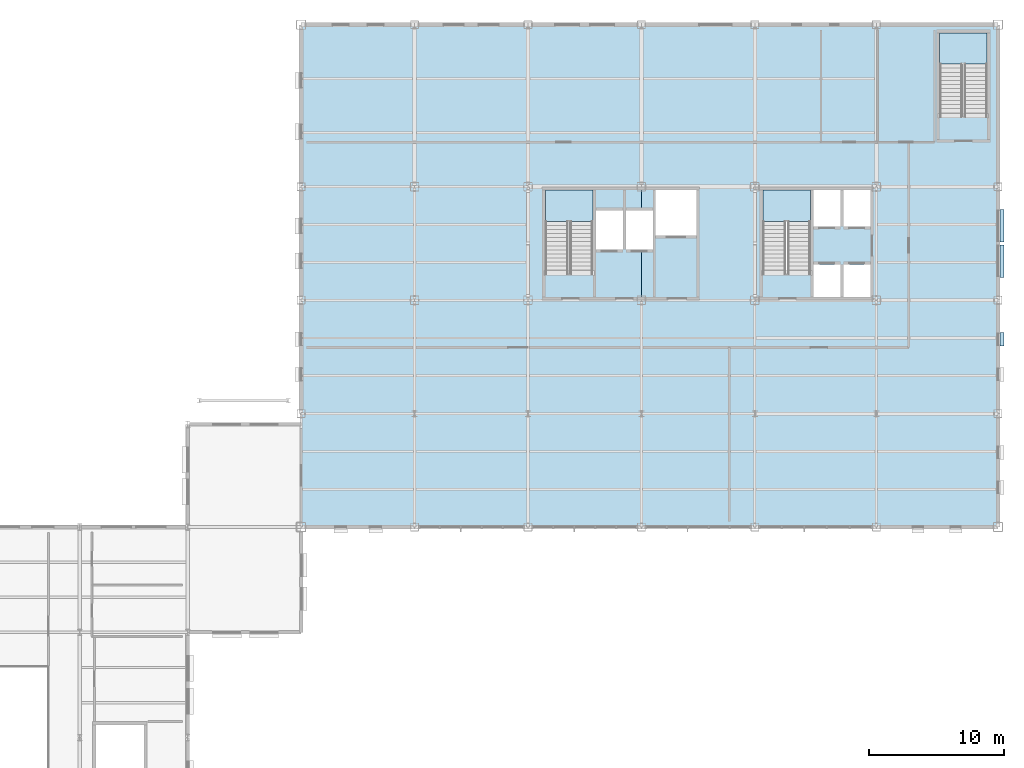
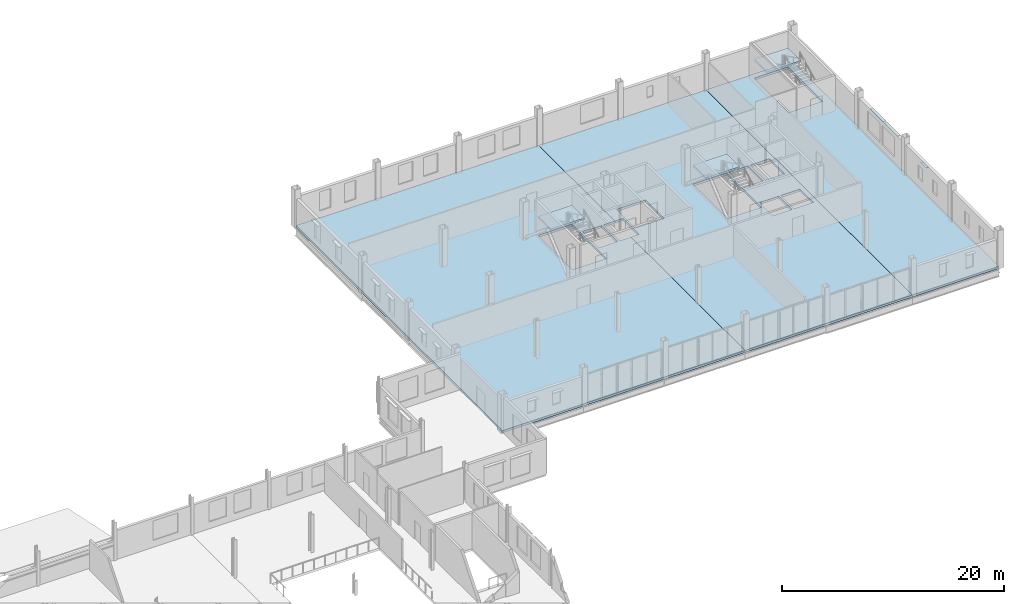
# One storey, part 25 of 45: 6 slabs, 3 plates, 3 elements without a shape of their own.
"""IFC4 building model written with IfcOpenShell, lengths in metres."""

from ifc_helpers import new_model, si_unit, direction, frame, origin, origin_2d, place, context, subcontext, project, spatial, polyline, rectangle, outline, extrude, material, layer, layer_set, type_object, element, aggregate, save


model = new_model("IFC4")

# Units and contexts
model_context = context("Model", 3, precision=1e-05, world=origin(), true_north=direction((0.0, 1.0)))
body_context = subcontext(model_context, "Body", "Model", "MODEL_VIEW")
ifc_project = project(units=[si_unit("LENGTHUNIT", "METRE"), si_unit("AREAUNIT", "SQUARE_METRE"), si_unit("VOLUMEUNIT", "CUBIC_METRE"), si_unit("PLANEANGLEUNIT", "RADIAN"), si_unit("MASSUNIT", "GRAM", prefix="KILO")], contexts=[model_context])

# Site, building, storey
site_placement = place(None, origin())
site = spatial("IfcSite", under=ifc_project, at=site_placement, CompositionType="ELEMENT")
building_placement = place(site_placement, origin())
building = spatial("IfcBuilding", under=site, at=building_placement, Name="Yukiwa Park Conservatory and Herbarium", CompositionType="ELEMENT")
storey_placement = place(building_placement, frame((0.0, 0.0, 9.0)))
storey = spatial("IfcBuildingStorey", under=building, at=storey_placement, Name="L02", CompositionType="ELEMENT", Elevation=9.0)

# Plates
ifc_material_1 = material(Name="Anodised Aluminium", Category="aluminium")
ifc_layer_1 = layer(ifc_material_1, 0.0400390625)
ifc_layer_set_1 = layer_set([ifc_layer_1], Name="Anodised Aluminium")
plate_type = type_object("IfcPlateType", Name="PL-SHADE-ALU-40", PredefinedType="SHEET", material=ifc_layer_set_1)
plate_placement = place(storey_placement, frame((168.300048828125, 91.89990234375, 2.590087890625), z_axis=(0.0, 0.0, 1.0), x_axis=(0.0, 1.0, 0.0)))
element("IfcPlate", 1, at=plate_placement, inside=storey, type_object=plate_type, Name="L02 snow-shedding window hood 96", PredefinedType="SHEET", context=body_context, shape_type="SweptSolid", body=[
    extrude(rectangle(XDim=1.010009765625, YDim=0.300048828125, at=origin_2d()), origin(), (0.0, 0.0, 1.0), 0.0400390625),
])
for number, where, z_axis, x_axis, name in (
    (2, (168.300048828125, 97.699951171875, 2.989990234375), (0.0, 0.0, 1.0), (0.0, 1.0, 0.0), "L02 snow-shedding window hood 97"),
    (3, (168.300048828125, 100.300048828125, 2.989990234375), (0.0, 0.0, 1.0), (0.0, 1.0, 0.0), "L02 snow-shedding window hood 98"),
):
    element("IfcPlate", number, at=place(storey_placement, frame(where, z_axis=z_axis, x_axis=x_axis)), inside=storey, type_object=plate_type, Name=name, PredefinedType="SHEET", context=body_context, shape_type="SweptSolid", body=[
        extrude(rectangle(XDim=2.409912109375, YDim=0.300048828125, at=origin_2d()), origin(), (0.0, 0.0, 1.0), 0.0400390625),
    ])

# Slabs
ifc_material_2 = material(Name="Concrete C40", Category="concrete")
ifc_layer_2 = layer(ifc_material_2, 0.2451171875)
ifc_layer_set_2 = layer_set([ifc_layer_2], Name="Concrete C40")
slab_type_1 = type_object("IfcSlabType", Name="SL-FLR-245", PredefinedType="FLOOR", material=ifc_layer_set_2)
slab_1_placement = place(storey_placement, frame((0.0, 0.0, -0.2451171875)))
element("IfcSlab", 4, at=slab_1_placement, inside=storey, type_object=slab_type_1, Name="L02 composite structural floor slab V5W", PredefinedType="FLOOR", context=body_context, shape_type="SweptSolid", body=[
    extrude(outline(polyline([(141.60009765625, 78.0), (116.39990234375, 78.0), (116.39990234375, 115.199951171875), (141.60009765625, 115.199951171875), (141.60009765625, 101.43994140625), (140.43994140625, 101.43994140625), (140.43994140625, 98.5400390625), (141.60009765625, 98.5400390625), (141.60009765625, 78.0)]), holes=[polyline([(134.489990234375, 102.949951171875), (134.489990234375, 96.72998046875), (138.0, 96.72998046875), (138.0, 102.949951171875), (134.489990234375, 102.949951171875)]), polyline([(140.219970703125, 101.43994140625), (138.219970703125, 101.43994140625), (138.219970703125, 98.5400390625), (140.219970703125, 98.5400390625), (140.219970703125, 101.43994140625)])]), origin(), (0.0, 0.0, 1.0), 0.2451171875),
])
slab_2_placement = place(storey_placement, frame((0.0, 0.0, -0.2451171875)))
element("IfcSlab", 5, at=slab_2_placement, inside=storey, type_object=slab_type_1, Name="L02 composite structural floor slab V5C", PredefinedType="FLOOR", context=body_context, shape_type="SweptSolid", body=[
    extrude(outline(polyline([(141.60009765625, 115.199951171875), (159.0, 115.199951171875), (159.0, 78.0), (141.60009765625, 78.0), (141.60009765625, 98.5400390625), (142.43994140625, 98.5400390625), (142.43994140625, 101.43994140625), (141.60009765625, 101.43994140625), (141.60009765625, 115.199951171875)]), holes=[polyline([(142.659912109375, 102.949951171875), (142.659912109375, 99.60009765625), (145.659912109375, 99.60009765625), (145.659912109375, 102.949951171875), (142.659912109375, 102.949951171875)]), polyline([(156.330078125, 97.449951171875), (154.330078125, 97.449951171875), (154.330078125, 95.050048828125), (156.330078125, 95.050048828125), (156.330078125, 97.449951171875)]), polyline([(158.550048828125, 97.449951171875), (156.550048828125, 97.449951171875), (156.550048828125, 95.050048828125), (158.550048828125, 95.050048828125), (158.550048828125, 97.449951171875)]), polyline([(154.110107421875, 102.949951171875), (150.60009765625, 102.949951171875), (150.60009765625, 96.72998046875), (154.110107421875, 96.72998046875), (154.110107421875, 102.949951171875)]), polyline([(156.330078125, 102.949951171875), (154.330078125, 102.949951171875), (154.330078125, 100.25), (156.330078125, 100.25), (156.330078125, 102.949951171875)]), polyline([(158.550048828125, 102.949951171875), (156.550048828125, 102.949951171875), (156.550048828125, 100.25), (158.550048828125, 100.25), (158.550048828125, 102.949951171875)])]), origin(), (0.0, 0.0, 1.0), 0.2451171875),
])
slab_3_placement = place(storey_placement, frame((0.0, 0.0, -0.2451171875)))
element("IfcSlab", 6, at=slab_3_placement, inside=storey, type_object=slab_type_1, Name="L02 composite structural floor slab V5E", PredefinedType="FLOOR", context=body_context, shape_type="SweptSolid", body=[
    extrude(outline(polyline([(159.0, 78.0), (159.0, 115.199951171875), (168.0, 115.199951171875), (168.0, 78.0), (159.0, 78.0)]), holes=[polyline([(167.199951171875, 114.60009765625), (163.68994140625, 114.60009765625), (163.68994140625, 108.3798828125), (167.199951171875, 108.3798828125), (167.199951171875, 114.60009765625)])]), origin(), (0.0, 0.0, 1.0), 0.2451171875),
])

# Stair, slab
ifc_material_3 = material(Name="Concrete C40", Category="concrete")
stair_type_1 = type_object("IfcStairType", Name="ST-DOGLEG-ST-T1", PredefinedType="HALF_TURN_STAIR", material=ifc_material_3)
stair_1_placement = place(storey_placement, origin())
stair_1 = element("IfcStair", 7, at=stair_1_placement, inside=storey, type_object=stair_type_1, Name="L02 Protected Smoke-Proof Stair ST-T1", PredefinedType="HALF_TURN_STAIR")
ifc_material_4 = material(Name="Concrete C40", Category="concrete")
ifc_layer_3 = layer(ifc_material_4, 0.199951171875)
ifc_layer_set_3 = layer_set([ifc_layer_3], Name="Concrete C40")
slab_type_2 = type_object("IfcSlabType", Name="SL-LANDING-220", PredefinedType="LANDING", material=ifc_layer_set_3)
slab_4_placement = place(storey_placement, frame((0.0, 0.0, 1.89990234375)))
slab_4 = element("IfcSlab", 8, at=slab_4_placement, type_object=slab_type_2, Name="ST-T1 landing 1", PredefinedType="LANDING", context=body_context, shape_type="SweptSolid", body=[
    extrude(outline(polyline([(138.0, 100.6298828125), (138.0, 102.949951171875), (134.489990234375, 102.949951171875), (134.489990234375, 100.6298828125), (138.0, 100.6298828125)])), origin(), (0.0, 0.0, 1.0), 0.2001953125),
])
aggregate(stair_1, [slab_4])

ifc_material_5 = material(Name="Concrete C40", Category="concrete")
stair_type_2 = type_object("IfcStairType", Name="ST-DOGLEG-ST-T2", PredefinedType="HALF_TURN_STAIR", material=ifc_material_5)
stair_2_placement = place(storey_placement, origin())
stair_2 = element("IfcStair", 9, at=stair_2_placement, inside=storey, type_object=stair_type_2, Name="L02 Protected Smoke-Proof Stair ST-T2", PredefinedType="HALF_TURN_STAIR")
slab_5_placement = place(storey_placement, frame((0.0, 0.0, 1.89990234375)))
slab_5 = element("IfcSlab", 10, at=slab_5_placement, type_object=slab_type_2, Name="ST-T2 landing 1", PredefinedType="LANDING", context=body_context, shape_type="SweptSolid", body=[
    extrude(outline(polyline([(154.110107421875, 100.6298828125), (154.110107421875, 102.949951171875), (150.60009765625, 102.949951171875), (150.60009765625, 100.6298828125), (154.110107421875, 100.6298828125)])), origin(), (0.0, 0.0, 1.0), 0.2001953125),
])
aggregate(stair_2, [slab_5])

ifc_material_6 = material(Name="Concrete C40", Category="concrete")
stair_type_3 = type_object("IfcStairType", Name="ST-DOGLEG-ST-T3", PredefinedType="HALF_TURN_STAIR", material=ifc_material_6)
stair_3_placement = place(storey_placement, origin())
stair_3 = element("IfcStair", 11, at=stair_3_placement, inside=storey, type_object=stair_type_3, Name="L02 Protected Smoke-Proof Stair ST-T3", PredefinedType="HALF_TURN_STAIR")
slab_6_placement = place(storey_placement, frame((0.0, 0.0, 1.89990234375)))
slab_6 = element("IfcSlab", 12, at=slab_6_placement, type_object=slab_type_2, Name="ST-T3 landing 1", PredefinedType="LANDING", context=body_context, shape_type="SweptSolid", body=[
    extrude(outline(polyline([(167.199951171875, 112.280029296875), (167.199951171875, 114.60009765625), (163.68994140625, 114.60009765625), (163.68994140625, 112.280029296875), (167.199951171875, 112.280029296875)])), origin(), (0.0, 0.0, 1.0), 0.2001953125),
])
aggregate(stair_3, [slab_6])

save(model, "model.ifc")
